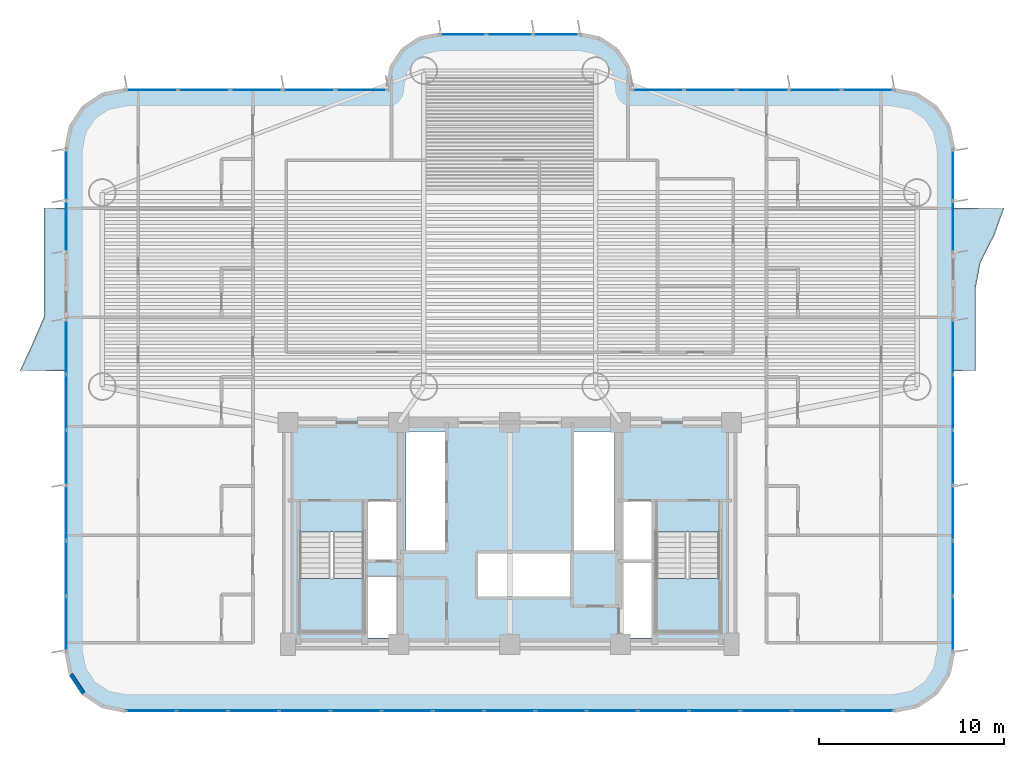
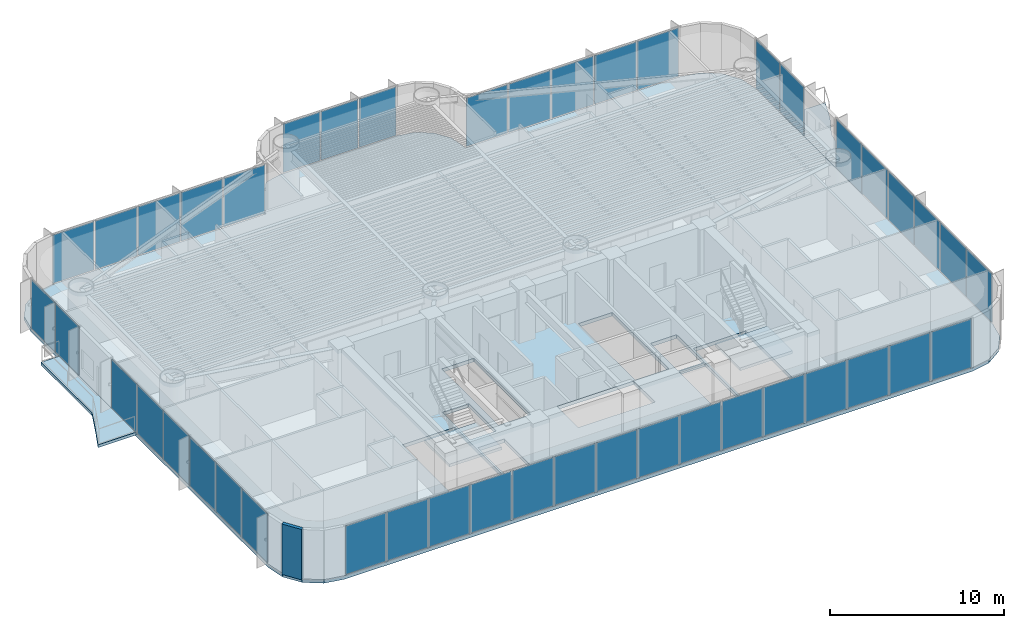
# One storey, part 9 of 18: 44 plates, 5 slabs, 1 wall, 10 elements without a shape of their own.
"""IFC4 building model written with IfcOpenShell, lengths in metres."""

from ifc_helpers import new_model, si_unit, direction, frame, frame_2d, origin, origin_2d, place, context, subcontext, project, spatial, polyline, rectangle, outline, extrude, source, transform, mapped, material, layer, layer_set, type_object, element, aggregate, save


model = new_model("IFC4")

# Units and contexts
model_context = context("Model", 3, precision=1e-05, world=origin(), true_north=direction((0.0, 1.0)))
body_context = subcontext(model_context, "Body", "Model", "MODEL_VIEW")
ifc_project = project(units=[si_unit("LENGTHUNIT", "METRE"), si_unit("AREAUNIT", "SQUARE_METRE"), si_unit("VOLUMEUNIT", "CUBIC_METRE"), si_unit("PLANEANGLEUNIT", "RADIAN"), si_unit("MASSUNIT", "GRAM", prefix="KILO")], contexts=[model_context])

# Site, building, storey
site_placement = place(None, origin())
site = spatial("IfcSite", under=ifc_project, at=site_placement, CompositionType="ELEMENT")
building_placement = place(site_placement, origin())
building = spatial("IfcBuilding", under=site, at=building_placement, Name="Brelvock Crest Care Tower", CompositionType="ELEMENT")
storey_placement = place(building_placement, frame((0.0, 0.0, 38.340087890625)))
storey = spatial("IfcBuildingStorey", under=building, at=storey_placement, Name="L09", CompositionType="ELEMENT", Elevation=38.340087890625)

# Slabs
ifc_material_1 = material(Name="Concrete N50 (50 MPa)", Category="concrete")
ifc_layer_1 = layer(ifc_material_1, 0.22998046875, Name="SLB-FL4")
ifc_layer_set_1 = layer_set([ifc_layer_1], Name="Concrete N50 (50 MPa)")
slab_type_1 = type_object("IfcSlabType", Name="SLB-FL4", PredefinedType="FLOOR", material=ifc_layer_set_1)
slab_1_placement = place(storey_placement, frame((0.0, 0.0, -0.25)))
element("IfcSlab", 1, at=slab_1_placement, inside=storey, type_object=slab_type_1, Name="L09 Main Structural Slab", PredefinedType="FLOOR", context=body_context, shape_type="SweptSolid", body=[
    extrude(outline(polyline([(56.800048828125, 36.0), (42.60009765625, 36.0), (42.60009765625, 36.199951171875), (42.386962890625, 37.271484375), (41.77978515625, 38.179931640625), (40.87158203125, 38.786865234375), (39.800048828125, 39.0), (32.199951171875, 39.0), (31.12841796875, 38.786865234375), (30.22021484375, 38.179931640625), (29.613037109375, 37.271484375), (29.39990234375, 36.199951171875), (29.39990234375, 36.0), (15.199951171875, 36.0), (13.975341796875, 35.75634765625), (12.937255859375, 35.062744140625), (12.24365234375, 34.024658203125), (12.0, 32.800048828125), (12.0, 5.60009765625), (12.24365234375, 4.37548828125), (12.937255859375, 3.33740234375), (13.975341796875, 2.6435546875), (15.199951171875, 2.39990234375), (56.800048828125, 2.39990234375), (58.024658203125, 2.6435546875), (59.062744140625, 3.33740234375), (59.75634765625, 4.37548828125), (60.0, 5.60009765625), (60.0, 32.800048828125), (59.75634765625, 34.024658203125), (59.062744140625, 35.062744140625), (58.024658203125, 35.75634765625), (56.800048828125, 36.0)]), holes=[polyline([(28.239990234375, 10.580078125), (29.97998046875, 10.580078125), (29.97998046875, 13.739990234375), (28.239990234375, 13.739990234375), (28.239990234375, 10.580078125)]), polyline([(42.02001953125, 10.580078125), (43.760009765625, 10.580078125), (43.760009765625, 13.739990234375), (42.02001953125, 13.739990234375), (42.02001953125, 10.580078125)]), polyline([(28.239990234375, 6.340087890625), (29.97998046875, 6.340087890625), (29.97998046875, 9.64990234375), (28.239990234375, 9.64990234375), (28.239990234375, 6.340087890625)]), polyline([(24.6298828125, 12.080078125), (24.6298828125, 6.699951171875), (28.110107421875, 6.699951171875), (28.110107421875, 12.080078125), (24.6298828125, 12.080078125)]), polyline([(43.889892578125, 12.080078125), (43.889892578125, 6.699951171875), (47.3701171875, 6.699951171875), (47.3701171875, 12.080078125), (43.889892578125, 12.080078125)]), polyline([(42.02001953125, 6.340087890625), (43.760009765625, 6.340087890625), (43.760009765625, 10.5), (42.02001953125, 10.5), (42.02001953125, 6.340087890625)]), polyline([(30.3798828125, 11.030029296875), (32.52001953125, 11.030029296875), (32.52001953125, 17.52001953125), (30.3798828125, 17.52001953125), (30.3798828125, 11.030029296875)]), polyline([(34.22998046875, 8.530029296875), (39.320068359375, 8.530029296875), (39.320068359375, 10.969970703125), (34.22998046875, 10.969970703125), (34.22998046875, 8.530029296875)]), polyline([(39.429931640625, 11.030029296875), (41.669921875, 11.030029296875), (41.669921875, 17.52001953125), (39.429931640625, 17.52001953125), (39.429931640625, 11.030029296875)])]), origin(), (0.0, 0.0, 1.0), 0.25),
])
ifc_layer_2 = layer(ifc_material_1, 0.199951171875, Name="SLB-WB2")
ifc_layer_set_2 = layer_set([ifc_layer_2], Name="Concrete N50 (50 MPa)")
slab_type_2 = type_object("IfcSlabType", Name="SLB-WB2", PredefinedType="FLOOR", material=ifc_layer_set_2)
slab_2_placement = place(storey_placement, frame((0.0, 0.0, -0.2001953125)))
element("IfcSlab", 2, at=slab_2_placement, inside=storey, type_object=slab_type_2, Name="L09 W Sinusoidal Wave Balcony Slab", PredefinedType="FLOOR", context=body_context, shape_type="SweptSolid", body=[
    extrude(outline(polyline([(12.0, 29.60009765625), (10.800048828125, 29.60009765625), (10.800048828125, 28.13330078125), (10.800048828125, 26.666748046875), (10.800048828125, 25.199951171875), (10.800048828125, 23.7333984375), (10.169189453125, 22.2666015625), (9.495361328125, 20.800048828125), (12.0, 20.800048828125), (12.0, 29.60009765625)])), origin(), (0.0, 0.0, 1.0), 0.2001953125),
])
slab_3_placement = place(storey_placement, frame((0.0, 0.0, -0.2001953125)))
element("IfcSlab", 3, at=slab_3_placement, inside=storey, type_object=slab_type_2, Name="L09 E Sinusoidal Wave Balcony Slab", PredefinedType="FLOOR", context=body_context, shape_type="SweptSolid", body=[
    extrude(outline(polyline([(60.0, 20.800048828125), (61.199951171875, 20.800048828125), (61.199951171875, 22.2666015625), (61.199951171875, 23.7333984375), (61.199951171875, 25.199951171875), (61.479248046875, 26.666748046875), (62.22509765625, 28.13330078125), (62.7529296875, 29.60009765625), (60.0, 29.60009765625), (60.0, 20.800048828125)])), origin(), (0.0, 0.0, 1.0), 0.2001953125),
])

# Stair, slab
ifc_material_2 = material(Name="Concrete N40 (40 MPa)", Category="concrete")
stair_type = type_object("IfcStairType", Name="ST-CORE1", PredefinedType="HALF_TURN_STAIR", material=ifc_material_2)
stair_1_placement = place(storey_placement, origin())
stair_1 = element("IfcStair", 4, at=stair_1_placement, inside=storey, type_object=stair_type, Name="L09 Fire-Isolated Core Stair ST-1", PredefinedType="HALF_TURN_STAIR")
ifc_layer_3 = layer(ifc_material_2, 0.199951171875, Name="STL-1")
ifc_layer_set_3 = layer_set([ifc_layer_3], Name="Concrete N40 (40 MPa)")
slab_type_3 = type_object("IfcSlabType", Name="STL-1", PredefinedType="LANDING", material=ifc_layer_set_3)
slab_4_placement = place(storey_placement, frame((0.0, 0.0, 1.68994140625)))
slab_4 = element("IfcSlab", 5, at=slab_4_placement, type_object=slab_type_3, Name="ST-1 landing 1", PredefinedType="LANDING", context=body_context, shape_type="SweptSolid", body=[
    extrude(outline(polyline([(24.6298828125, 9.56005859375), (24.6298828125, 6.699951171875), (28.110107421875, 6.699951171875), (28.110107421875, 9.56005859375), (24.6298828125, 9.56005859375)])), origin(), (0.0, 0.0, 1.0), 0.199951171875),
])
aggregate(stair_1, [slab_4])

stair_2_placement = place(storey_placement, origin())
stair_2 = element("IfcStair", 6, at=stair_2_placement, inside=storey, type_object=stair_type, Name="L09 Fire-Isolated Core Stair ST-2", PredefinedType="HALF_TURN_STAIR")
slab_5_placement = place(storey_placement, frame((0.0, 0.0, 1.68994140625)))
slab_5 = element("IfcSlab", 7, at=slab_5_placement, type_object=slab_type_3, Name="ST-2 landing 1", PredefinedType="LANDING", context=body_context, shape_type="SweptSolid", body=[
    extrude(outline(polyline([(43.889892578125, 9.56005859375), (43.889892578125, 6.699951171875), (47.3701171875, 6.699951171875), (47.3701171875, 9.56005859375), (43.889892578125, 9.56005859375)])), origin(), (0.0, 0.0, 1.0), 0.199951171875),
])
aggregate(stair_2, [slab_5])

# Curtain wall, plates
ifc_material_3 = material(Name="Dark Glass Double Glazed Low-E", Category="glass")
ifc_layer_4 = layer(ifc_material_3, 0.195068359375, Name="CWS-2")
ifc_layer_set_4 = layer_set([ifc_layer_4], Name="Dark Glass Double Glazed Low-E")
curtain_wall_type = type_object("IfcCurtainWallType", Name="CWS-2", PredefinedType="NOTDEFINED", material=ifc_layer_set_4)
curtain_wall_1_placement = place(storey_placement, origin())
curtain_wall_1 = element("IfcCurtainWall", 8, at=curtain_wall_1_placement, inside=storey, type_object=curtain_wall_type, Name="L09 Curtain Wall E08", PredefinedType="NOTDEFINED")
ifc_layer_5 = layer(ifc_material_3, 0.031982421875, Name="CWP-V1")
ifc_layer_set_5 = layer_set([ifc_layer_5], Name="Dark Glass Double Glazed Low-E")
plate_type = type_object("IfcPlateType", Name="CWP-V1", PredefinedType="CURTAIN_PANEL", material=ifc_layer_set_5)
shared_shape_1 = source(origin(), body_context, "Body", "SweptSolid", [
    extrude(rectangle(XDim=2.67578125, YDim=0.035888671875, at=origin_2d()), origin(), (0.0, 0.0, 1.0), 3.39990234375),
])
plate_1_placement = place(storey_placement, frame((55.39697265625, 2.39990234375, 0.06494140625), z_axis=(0.0, 0.0, 1.0), x_axis=(-1.0, 0.0, 0.0)))
plate_1 = element("IfcPlate", 9, at=plate_1_placement, type_object=plate_type, Name="CW-2 panel 1.1", PredefinedType="CURTAIN_PANEL", context=body_context, shape_type="MappedRepresentation", body=[
    mapped(shared_shape_1, transform((0.0, 0.0, 0.0), x_axis=(1.0, 0.0, 0.0), y_axis=(0.0, 1.0, 0.0), z_axis=(0.0, 0.0, 1.0), scale=1.0)),
])
plate_2_placement = place(storey_placement, frame((16.60302734375, 2.39990234375, 0.06494140625), z_axis=(0.0, 0.0, 1.0), x_axis=(-1.0, 0.0, 0.0)))
plate_2 = element("IfcPlate", 10, at=plate_2_placement, type_object=plate_type, Name="CW-2 panel 15.1", PredefinedType="CURTAIN_PANEL", context=body_context, shape_type="MappedRepresentation", body=[
    mapped(shared_shape_1, transform((0.0, 0.0, 0.0), x_axis=(1.0, 0.0, 0.0), y_axis=(0.0, 1.0, 0.0), z_axis=(0.0, 0.0, 1.0), scale=1.0)),
])
shared_shape_2 = source(origin(), body_context, "Body", "SweptSolid", [
    extrude(rectangle(XDim=2.708251953125, YDim=0.035888671875, at=origin_2d()), origin(), (0.0, 0.0, 1.0), 3.39990234375),
])
plate_3_placement = place(storey_placement, frame((52.639892578125, 2.39990234375, 0.06494140625), z_axis=(0.0, 0.0, 1.0), x_axis=(-1.0, 0.0, 0.0)))
plate_3 = element("IfcPlate", 11, at=plate_3_placement, type_object=plate_type, Name="CW-2 panel 2.1", PredefinedType="CURTAIN_PANEL", context=body_context, shape_type="MappedRepresentation", body=[
    mapped(shared_shape_2, transform((0.0, 0.0, 0.0), x_axis=(1.0, 0.0, 0.0), y_axis=(0.0, 1.0, 0.0), z_axis=(0.0, 0.0, 1.0), scale=1.0)),
])
plate_4_placement = place(storey_placement, frame((49.86669921875, 2.39990234375, 0.06494140625), z_axis=(0.0, 0.0, 1.0), x_axis=(-1.0, 0.0, 0.0)))
plate_4 = element("IfcPlate", 12, at=plate_4_placement, type_object=plate_type, Name="CW-2 panel 3.1", PredefinedType="CURTAIN_PANEL", context=body_context, shape_type="MappedRepresentation", body=[
    mapped(shared_shape_2, transform((0.0, 0.0, 0.0), x_axis=(1.0, 0.0, 0.0), y_axis=(0.0, 1.0, 0.0), z_axis=(0.0, 0.0, 1.0), scale=1.0)),
])
plate_5_placement = place(storey_placement, frame((47.09326171875, 2.39990234375, 0.06494140625), z_axis=(0.0, 0.0, 1.0), x_axis=(-1.0, 0.0, 0.0)))
plate_5 = element("IfcPlate", 13, at=plate_5_placement, type_object=plate_type, Name="CW-2 panel 4.1", PredefinedType="CURTAIN_PANEL", context=body_context, shape_type="MappedRepresentation", body=[
    mapped(shared_shape_2, transform((0.0, 0.0, 0.0), x_axis=(1.0, 0.0, 0.0), y_axis=(0.0, 1.0, 0.0), z_axis=(0.0, 0.0, 1.0), scale=1.0)),
])
plate_6_placement = place(storey_placement, frame((44.320068359375, 2.39990234375, 0.06494140625), z_axis=(0.0, 0.0, 1.0), x_axis=(-1.0, 0.0, 0.0)))
plate_6 = element("IfcPlate", 14, at=plate_6_placement, type_object=plate_type, Name="CW-2 panel 5.1", PredefinedType="CURTAIN_PANEL", context=body_context, shape_type="MappedRepresentation", body=[
    mapped(shared_shape_2, transform((0.0, 0.0, 0.0), x_axis=(1.0, 0.0, 0.0), y_axis=(0.0, 1.0, 0.0), z_axis=(0.0, 0.0, 1.0), scale=1.0)),
])
plate_7_placement = place(storey_placement, frame((41.546630859375, 2.39990234375, 0.06494140625), z_axis=(0.0, 0.0, 1.0), x_axis=(-1.0, 0.0, 0.0)))
plate_7 = element("IfcPlate", 15, at=plate_7_placement, type_object=plate_type, Name="CW-2 panel 6.1", PredefinedType="CURTAIN_PANEL", context=body_context, shape_type="MappedRepresentation", body=[
    mapped(shared_shape_2, transform((0.0, 0.0, 0.0), x_axis=(1.0, 0.0, 0.0), y_axis=(0.0, 1.0, 0.0), z_axis=(0.0, 0.0, 1.0), scale=1.0)),
])
plate_8_placement = place(storey_placement, frame((38.7734375, 2.39990234375, 0.06494140625), z_axis=(0.0, 0.0, 1.0), x_axis=(-1.0, 0.0, 0.0)))
plate_8 = element("IfcPlate", 16, at=plate_8_placement, type_object=plate_type, Name="CW-2 panel 7.1", PredefinedType="CURTAIN_PANEL", context=body_context, shape_type="MappedRepresentation", body=[
    mapped(shared_shape_2, transform((0.0, 0.0, 0.0), x_axis=(1.0, 0.0, 0.0), y_axis=(0.0, 1.0, 0.0), z_axis=(0.0, 0.0, 1.0), scale=1.0)),
])
plate_9_placement = place(storey_placement, frame((36.0, 2.39990234375, 0.06494140625), z_axis=(0.0, 0.0, 1.0), x_axis=(-1.0, 0.0, 0.0)))
plate_9 = element("IfcPlate", 17, at=plate_9_placement, type_object=plate_type, Name="CW-2 panel 8.1", PredefinedType="CURTAIN_PANEL", context=body_context, shape_type="MappedRepresentation", body=[
    mapped(shared_shape_2, transform((0.0, 0.0, 0.0), x_axis=(1.0, 0.0, 0.0), y_axis=(0.0, 1.0, 0.0), z_axis=(0.0, 0.0, 1.0), scale=1.0)),
])
plate_10_placement = place(storey_placement, frame((33.2265625, 2.39990234375, 0.06494140625), z_axis=(0.0, 0.0, 1.0), x_axis=(-1.0, 0.0, 0.0)))
plate_10 = element("IfcPlate", 18, at=plate_10_placement, type_object=plate_type, Name="CW-2 panel 9.1", PredefinedType="CURTAIN_PANEL", context=body_context, shape_type="MappedRepresentation", body=[
    mapped(shared_shape_2, transform((0.0, 0.0, 0.0), x_axis=(1.0, 0.0, 0.0), y_axis=(0.0, 1.0, 0.0), z_axis=(0.0, 0.0, 1.0), scale=1.0)),
])
plate_11_placement = place(storey_placement, frame((30.453369140625, 2.39990234375, 0.06494140625), z_axis=(0.0, 0.0, 1.0), x_axis=(-1.0, 0.0, 0.0)))
plate_11 = element("IfcPlate", 19, at=plate_11_placement, type_object=plate_type, Name="CW-2 panel 10.1", PredefinedType="CURTAIN_PANEL", context=body_context, shape_type="MappedRepresentation", body=[
    mapped(shared_shape_2, transform((0.0, 0.0, 0.0), x_axis=(1.0, 0.0, 0.0), y_axis=(0.0, 1.0, 0.0), z_axis=(0.0, 0.0, 1.0), scale=1.0)),
])
plate_12_placement = place(storey_placement, frame((27.679931640625, 2.39990234375, 0.06494140625), z_axis=(0.0, 0.0, 1.0), x_axis=(-1.0, 0.0, 0.0)))
plate_12 = element("IfcPlate", 20, at=plate_12_placement, type_object=plate_type, Name="CW-2 panel 11.1", PredefinedType="CURTAIN_PANEL", context=body_context, shape_type="MappedRepresentation", body=[
    mapped(shared_shape_2, transform((0.0, 0.0, 0.0), x_axis=(1.0, 0.0, 0.0), y_axis=(0.0, 1.0, 0.0), z_axis=(0.0, 0.0, 1.0), scale=1.0)),
])
plate_13_placement = place(storey_placement, frame((24.90673828125, 2.39990234375, 0.06494140625), z_axis=(0.0, 0.0, 1.0), x_axis=(-1.0, 0.0, 0.0)))
plate_13 = element("IfcPlate", 21, at=plate_13_placement, type_object=plate_type, Name="CW-2 panel 12.1", PredefinedType="CURTAIN_PANEL", context=body_context, shape_type="MappedRepresentation", body=[
    mapped(shared_shape_2, transform((0.0, 0.0, 0.0), x_axis=(1.0, 0.0, 0.0), y_axis=(0.0, 1.0, 0.0), z_axis=(0.0, 0.0, 1.0), scale=1.0)),
])
plate_14_placement = place(storey_placement, frame((22.13330078125, 2.39990234375, 0.06494140625), z_axis=(0.0, 0.0, 1.0), x_axis=(-1.0, 0.0, 0.0)))
plate_14 = element("IfcPlate", 22, at=plate_14_placement, type_object=plate_type, Name="CW-2 panel 13.1", PredefinedType="CURTAIN_PANEL", context=body_context, shape_type="MappedRepresentation", body=[
    mapped(shared_shape_2, transform((0.0, 0.0, 0.0), x_axis=(1.0, 0.0, 0.0), y_axis=(0.0, 1.0, 0.0), z_axis=(0.0, 0.0, 1.0), scale=1.0)),
])
plate_15_placement = place(storey_placement, frame((19.360107421875, 2.39990234375, 0.06494140625), z_axis=(0.0, 0.0, 1.0), x_axis=(-1.0, 0.0, 0.0)))
plate_15 = element("IfcPlate", 23, at=plate_15_placement, type_object=plate_type, Name="CW-2 panel 14.1", PredefinedType="CURTAIN_PANEL", context=body_context, shape_type="MappedRepresentation", body=[
    mapped(shared_shape_2, transform((0.0, 0.0, 0.0), x_axis=(1.0, 0.0, 0.0), y_axis=(0.0, 1.0, 0.0), z_axis=(0.0, 0.0, 1.0), scale=1.0)),
])
aggregate(curtain_wall_1, [plate_1, plate_3, plate_4, plate_5, plate_6, plate_7, plate_8, plate_9, plate_10, plate_11, plate_12, plate_13, plate_14, plate_15, plate_2])

curtain_wall_2_placement = place(storey_placement, origin())
curtain_wall_2 = element("IfcCurtainWall", 24, at=curtain_wall_2_placement, inside=storey, type_object=curtain_wall_type, Name="L09 Curtain Wall E18", PredefinedType="NOTDEFINED")
shared_shape_3 = source(origin(), body_context, "Body", "SweptSolid", [
    extrude(rectangle(XDim=2.742431640625, YDim=0.035888671875, at=origin_2d()), origin(), (0.0, 0.0, 1.0), 3.39990234375),
])
plate_16_placement = place(storey_placement, frame((16.63623046875, 36.0, 0.06494140625), z_axis=(0.0, 0.0, 1.0), x_axis=(1.0, 0.0, 0.0)))
plate_16 = element("IfcPlate", 25, at=plate_16_placement, type_object=plate_type, Name="CW-2 panel 1.1", PredefinedType="CURTAIN_PANEL", context=body_context, shape_type="MappedRepresentation", body=[
    mapped(shared_shape_3, transform((0.0, 0.0, 0.0), x_axis=(1.0, 0.0, 0.0), y_axis=(0.0, 1.0, 0.0), z_axis=(0.0, 0.0, 1.0), scale=1.0)),
])
plate_17_placement = place(storey_placement, frame((27.9638671875, 36.0, 0.06494140625), z_axis=(0.0, 0.0, 1.0), x_axis=(1.0, 0.0, 0.0)))
plate_17 = element("IfcPlate", 26, at=plate_17_placement, type_object=plate_type, Name="CW-2 panel 5.1", PredefinedType="CURTAIN_PANEL", context=body_context, shape_type="MappedRepresentation", body=[
    mapped(shared_shape_3, transform((0.0, 0.0, 0.0), x_axis=(1.0, 0.0, 0.0), y_axis=(0.0, 1.0, 0.0), z_axis=(0.0, 0.0, 1.0), scale=1.0)),
])

curtain_wall_3_placement = place(storey_placement, origin())
curtain_wall_3 = element("IfcCurtainWall", 27, at=curtain_wall_3_placement, inside=storey, type_object=curtain_wall_type, Name="L09 Curtain Wall E30", PredefinedType="NOTDEFINED")
plate_18_placement = place(storey_placement, frame((44.0361328125, 36.0, 0.06494140625), z_axis=(0.0, 0.0, 1.0), x_axis=(1.0, 0.0, 0.0)))
plate_18 = element("IfcPlate", 28, at=plate_18_placement, type_object=plate_type, Name="CW-2 panel 1.1", PredefinedType="CURTAIN_PANEL", context=body_context, shape_type="MappedRepresentation", body=[
    mapped(shared_shape_3, transform((0.0, 0.0, 0.0), x_axis=(1.0, 0.0, 0.0), y_axis=(0.0, 1.0, 0.0), z_axis=(0.0, 0.0, 1.0), scale=1.0)),
])
plate_19_placement = place(storey_placement, frame((55.36376953125, 36.0, 0.06494140625), z_axis=(0.0, 0.0, 1.0), x_axis=(1.0, 0.0, 0.0)))
plate_19 = element("IfcPlate", 29, at=plate_19_placement, type_object=plate_type, Name="CW-2 panel 5.1", PredefinedType="CURTAIN_PANEL", context=body_context, shape_type="MappedRepresentation", body=[
    mapped(shared_shape_3, transform((0.0, 0.0, 0.0), x_axis=(1.0, 0.0, 0.0), y_axis=(0.0, 1.0, 0.0), z_axis=(0.0, 0.0, 1.0), scale=1.0)),
])

# Plate
shared_shape_4 = source(origin(), body_context, "Body", "SweptSolid", [
    extrude(rectangle(XDim=2.77490234375, YDim=0.035888671875, at=origin_2d()), origin(), (0.0, 0.0, 1.0), 3.39990234375),
])
plate_20_placement = place(storey_placement, frame((19.4599609375, 36.0, 0.06494140625), z_axis=(0.0, 0.0, 1.0), x_axis=(1.0, 0.0, 0.0)))
plate_20 = element("IfcPlate", 30, at=plate_20_placement, type_object=plate_type, Name="CW-2 panel 2.1", PredefinedType="CURTAIN_PANEL", context=body_context, shape_type="MappedRepresentation", body=[
    mapped(shared_shape_4, transform((0.0, 0.0, 0.0), x_axis=(1.0, 0.0, 0.0), y_axis=(0.0, 1.0, 0.0), z_axis=(0.0, 0.0, 1.0), scale=1.0)),
])

plate_21_placement = place(storey_placement, frame((22.300048828125, 36.0, 0.06494140625), z_axis=(0.0, 0.0, 1.0), x_axis=(1.0, 0.0, 0.0)))
plate_21 = element("IfcPlate", 31, at=plate_21_placement, type_object=plate_type, Name="CW-2 panel 3.1", PredefinedType="CURTAIN_PANEL", context=body_context, shape_type="MappedRepresentation", body=[
    mapped(shared_shape_4, transform((0.0, 0.0, 0.0), x_axis=(1.0, 0.0, 0.0), y_axis=(0.0, 1.0, 0.0), z_axis=(0.0, 0.0, 1.0), scale=1.0)),
])

plate_22_placement = place(storey_placement, frame((25.139892578125, 36.0, 0.06494140625), z_axis=(0.0, 0.0, 1.0), x_axis=(1.0, 0.0, 0.0)))
plate_22 = element("IfcPlate", 32, at=plate_22_placement, type_object=plate_type, Name="CW-2 panel 4.1", PredefinedType="CURTAIN_PANEL", context=body_context, shape_type="MappedRepresentation", body=[
    mapped(shared_shape_4, transform((0.0, 0.0, 0.0), x_axis=(1.0, 0.0, 0.0), y_axis=(0.0, 1.0, 0.0), z_axis=(0.0, 0.0, 1.0), scale=1.0)),
])

aggregate(curtain_wall_2, [plate_16, plate_20, plate_21, plate_22, plate_17])

plate_23_placement = place(storey_placement, frame((46.860107421875, 36.0, 0.06494140625), z_axis=(0.0, 0.0, 1.0), x_axis=(1.0, 0.0, 0.0)))
plate_23 = element("IfcPlate", 33, at=plate_23_placement, type_object=plate_type, Name="CW-2 panel 2.1", PredefinedType="CURTAIN_PANEL", context=body_context, shape_type="MappedRepresentation", body=[
    mapped(shared_shape_4, transform((0.0, 0.0, 0.0), x_axis=(1.0, 0.0, 0.0), y_axis=(0.0, 1.0, 0.0), z_axis=(0.0, 0.0, 1.0), scale=1.0)),
])

plate_24_placement = place(storey_placement, frame((49.699951171875, 36.0, 0.06494140625), z_axis=(0.0, 0.0, 1.0), x_axis=(1.0, 0.0, 0.0)))
plate_24 = element("IfcPlate", 34, at=plate_24_placement, type_object=plate_type, Name="CW-2 panel 3.1", PredefinedType="CURTAIN_PANEL", context=body_context, shape_type="MappedRepresentation", body=[
    mapped(shared_shape_4, transform((0.0, 0.0, 0.0), x_axis=(1.0, 0.0, 0.0), y_axis=(0.0, 1.0, 0.0), z_axis=(0.0, 0.0, 1.0), scale=1.0)),
])

plate_25_placement = place(storey_placement, frame((52.5400390625, 36.0, 0.06494140625), z_axis=(0.0, 0.0, 1.0), x_axis=(1.0, 0.0, 0.0)))
plate_25 = element("IfcPlate", 35, at=plate_25_placement, type_object=plate_type, Name="CW-2 panel 4.1", PredefinedType="CURTAIN_PANEL", context=body_context, shape_type="MappedRepresentation", body=[
    mapped(shared_shape_4, transform((0.0, 0.0, 0.0), x_axis=(1.0, 0.0, 0.0), y_axis=(0.0, 1.0, 0.0), z_axis=(0.0, 0.0, 1.0), scale=1.0)),
])

aggregate(curtain_wall_3, [plate_18, plate_23, plate_24, plate_25, plate_19])

# Curtain wall, plates
curtain_wall_4_placement = place(storey_placement, origin())
curtain_wall_4 = element("IfcCurtainWall", 36, at=curtain_wall_4_placement, inside=storey, type_object=curtain_wall_type, Name="L09 Curtain Wall E24", PredefinedType="NOTDEFINED")
shared_shape_5 = source(origin(), body_context, "Body", "SweptSolid", [
    extrude(rectangle(XDim=2.435791015625, YDim=0.035888671875, at=origin_2d()), origin(), (0.0, 0.0, 1.0), 3.39990234375),
])
plate_26_placement = place(storey_placement, frame((33.48291015625, 39.0, 0.06494140625), z_axis=(0.0, 0.0, 1.0), x_axis=(1.0, 0.0, 0.0)))
plate_26 = element("IfcPlate", 37, at=plate_26_placement, type_object=plate_type, Name="CW-2 panel 1.1", PredefinedType="CURTAIN_PANEL", context=body_context, shape_type="MappedRepresentation", body=[
    mapped(shared_shape_5, transform((0.0, 0.0, 0.0), x_axis=(1.0, 0.0, 0.0), y_axis=(0.0, 1.0, 0.0), z_axis=(0.0, 0.0, 1.0), scale=1.0)),
])
plate_27_placement = place(storey_placement, frame((38.51708984375, 39.0, 0.06494140625), z_axis=(0.0, 0.0, 1.0), x_axis=(1.0, 0.0, 0.0)))
plate_27 = element("IfcPlate", 38, at=plate_27_placement, type_object=plate_type, Name="CW-2 panel 3.1", PredefinedType="CURTAIN_PANEL", context=body_context, shape_type="MappedRepresentation", body=[
    mapped(shared_shape_5, transform((0.0, 0.0, 0.0), x_axis=(1.0, 0.0, 0.0), y_axis=(0.0, 1.0, 0.0), z_axis=(0.0, 0.0, 1.0), scale=1.0)),
])
shared_shape_6 = source(origin(), body_context, "Body", "SweptSolid", [
    extrude(rectangle(XDim=2.46826171875, YDim=0.035888671875, at=origin_2d()), origin(), (0.0, 0.0, 1.0), 3.39990234375),
])
plate_28_placement = place(storey_placement, frame((36.0, 39.0, 0.06494140625), z_axis=(0.0, 0.0, 1.0), x_axis=(1.0, 0.0, 0.0)))
plate_28 = element("IfcPlate", 39, at=plate_28_placement, type_object=plate_type, Name="CW-2 panel 2.1", PredefinedType="CURTAIN_PANEL", context=body_context, shape_type="MappedRepresentation", body=[
    mapped(shared_shape_6, transform((0.0, 0.0, 0.0), x_axis=(1.0, 0.0, 0.0), y_axis=(0.0, 1.0, 0.0), z_axis=(0.0, 0.0, 1.0), scale=1.0)),
])
aggregate(curtain_wall_4, [plate_26, plate_28, plate_27])

curtain_wall_5_placement = place(storey_placement, origin())
curtain_wall_5 = element("IfcCurtainWall", 40, at=curtain_wall_5_placement, inside=storey, type_object=curtain_wall_type, Name="L09 Curtain Wall E03A", PredefinedType="NOTDEFINED")
shared_shape_7 = source(origin(), body_context, "Body", "SweptSolid", [
    extrude(rectangle(XDim=2.702392578125, YDim=0.035888671875, at=origin_2d()), origin(), (0.0, 0.0, 1.0), 3.39990234375),
])
plate_29_placement = place(storey_placement, frame((60.0, 31.3837890625, 0.06494140625), z_axis=(0.0, 0.0, 1.0), x_axis=(0.0, -1.0, 0.0)))
plate_29 = element("IfcPlate", 41, at=plate_29_placement, type_object=plate_type, Name="CW-2 panel 1.1", PredefinedType="CURTAIN_PANEL", context=body_context, shape_type="MappedRepresentation", body=[
    mapped(shared_shape_7, transform((0.0, 0.0, 0.0), x_axis=(1.0, 0.0, 0.0), y_axis=(0.0, 1.0, 0.0), z_axis=(0.0, 0.0, 1.0), scale=1.0)),
])
plate_30_placement = place(storey_placement, frame((60.0, 28.6162109375, 0.06494140625), z_axis=(0.0, 0.0, 1.0), x_axis=(0.0, -1.0, 0.0)))
plate_30 = element("IfcPlate", 42, at=plate_30_placement, type_object=plate_type, Name="CW-2 panel 2.1", PredefinedType="CURTAIN_PANEL", context=body_context, shape_type="MappedRepresentation", body=[
    mapped(shared_shape_7, transform((0.0, 0.0, 0.0), x_axis=(1.0, 0.0, 0.0), y_axis=(0.0, 1.0, 0.0), z_axis=(0.0, 0.0, 1.0), scale=1.0)),
])
aggregate(curtain_wall_5, [plate_29, plate_30])

curtain_wall_6_placement = place(storey_placement, origin())
curtain_wall_6 = element("IfcCurtainWall", 43, at=curtain_wall_6_placement, inside=storey, type_object=curtain_wall_type, Name="L09 Curtain Wall E13B", PredefinedType="NOTDEFINED")
plate_31_placement = place(storey_placement, frame((12.0, 28.6162109375, 0.06494140625), z_axis=(0.0, 0.0, 1.0), x_axis=(0.0, 1.0, 0.0)))
plate_31 = element("IfcPlate", 44, at=plate_31_placement, type_object=plate_type, Name="CW-2 panel 1.1", PredefinedType="CURTAIN_PANEL", context=body_context, shape_type="MappedRepresentation", body=[
    mapped(shared_shape_7, transform((0.0, 0.0, 0.0), x_axis=(1.0, 0.0, 0.0), y_axis=(0.0, 1.0, 0.0), z_axis=(0.0, 0.0, 1.0), scale=1.0)),
])
plate_32_placement = place(storey_placement, frame((12.0, 31.3837890625, 0.06494140625), z_axis=(0.0, 0.0, 1.0), x_axis=(0.0, 1.0, 0.0)))
plate_32 = element("IfcPlate", 45, at=plate_32_placement, type_object=plate_type, Name="CW-2 panel 2.1", PredefinedType="CURTAIN_PANEL", context=body_context, shape_type="MappedRepresentation", body=[
    mapped(shared_shape_7, transform((0.0, 0.0, 0.0), x_axis=(1.0, 0.0, 0.0), y_axis=(0.0, 1.0, 0.0), z_axis=(0.0, 0.0, 1.0), scale=1.0)),
])
aggregate(curtain_wall_6, [plate_31, plate_32])

curtain_wall_7_placement = place(storey_placement, origin())
curtain_wall_7 = element("IfcCurtainWall", 46, at=curtain_wall_7_placement, inside=storey, type_object=curtain_wall_type, Name="L09 Curtain Wall E03B", PredefinedType="NOTDEFINED")
shared_shape_8 = source(origin(), body_context, "Body", "SweptSolid", [
    extrude(rectangle(XDim=2.902587890625, YDim=0.035888671875, at=origin_2d()), origin(), (0.0, 0.0, 1.0), 3.39990234375),
])
plate_33_placement = place(storey_placement, frame((60.0, 22.083740234375, 0.06494140625), z_axis=(0.0, 0.0, 1.0), x_axis=(0.0, -1.0, 0.0)))
plate_33 = element("IfcPlate", 47, at=plate_33_placement, type_object=plate_type, Name="CW-2 panel 1.1", PredefinedType="CURTAIN_PANEL", context=body_context, shape_type="MappedRepresentation", body=[
    mapped(shared_shape_8, transform((0.0, 0.0, 0.0), x_axis=(1.0, 0.0, 0.0), y_axis=(0.0, 1.0, 0.0), z_axis=(0.0, 0.0, 1.0), scale=1.0)),
])
plate_34_placement = place(storey_placement, frame((60.0, 7.1162109375, 0.06494140625), z_axis=(0.0, 0.0, 1.0), x_axis=(0.0, -1.0, 0.0)))
plate_34 = element("IfcPlate", 48, at=plate_34_placement, type_object=plate_type, Name="CW-2 panel 6.1", PredefinedType="CURTAIN_PANEL", context=body_context, shape_type="MappedRepresentation", body=[
    mapped(shared_shape_8, transform((0.0, 0.0, 0.0), x_axis=(1.0, 0.0, 0.0), y_axis=(0.0, 1.0, 0.0), z_axis=(0.0, 0.0, 1.0), scale=1.0)),
])

curtain_wall_8_placement = place(storey_placement, origin())
curtain_wall_8 = element("IfcCurtainWall", 49, at=curtain_wall_8_placement, inside=storey, type_object=curtain_wall_type, Name="L09 Curtain Wall E13A", PredefinedType="NOTDEFINED")
plate_35_placement = place(storey_placement, frame((12.0, 7.1162109375, 0.06494140625), z_axis=(0.0, 0.0, 1.0), x_axis=(0.0, 1.0, 0.0)))
plate_35 = element("IfcPlate", 50, at=plate_35_placement, type_object=plate_type, Name="CW-2 panel 1.1", PredefinedType="CURTAIN_PANEL", context=body_context, shape_type="MappedRepresentation", body=[
    mapped(shared_shape_8, transform((0.0, 0.0, 0.0), x_axis=(1.0, 0.0, 0.0), y_axis=(0.0, 1.0, 0.0), z_axis=(0.0, 0.0, 1.0), scale=1.0)),
])
plate_36_placement = place(storey_placement, frame((12.0, 22.083740234375, 0.06494140625), z_axis=(0.0, 0.0, 1.0), x_axis=(0.0, 1.0, 0.0)))
plate_36 = element("IfcPlate", 51, at=plate_36_placement, type_object=plate_type, Name="CW-2 panel 6.1", PredefinedType="CURTAIN_PANEL", context=body_context, shape_type="MappedRepresentation", body=[
    mapped(shared_shape_8, transform((0.0, 0.0, 0.0), x_axis=(1.0, 0.0, 0.0), y_axis=(0.0, 1.0, 0.0), z_axis=(0.0, 0.0, 1.0), scale=1.0)),
])

# Plate
shared_shape_9 = source(origin(), body_context, "Body", "SweptSolid", [
    extrude(rectangle(XDim=2.93505859375, YDim=0.035888671875, at=origin_2d()), origin(), (0.0, 0.0, 1.0), 3.39990234375),
])
plate_37_placement = place(storey_placement, frame((60.0, 19.10009765625, 0.06494140625), z_axis=(0.0, 0.0, 1.0), x_axis=(0.0, -1.0, 0.0)))
plate_37 = element("IfcPlate", 52, at=plate_37_placement, type_object=plate_type, Name="CW-2 panel 2.1", PredefinedType="CURTAIN_PANEL", context=body_context, shape_type="MappedRepresentation", body=[
    mapped(shared_shape_9, transform((0.0, 0.0, 0.0), x_axis=(1.0, 0.0, 0.0), y_axis=(0.0, 1.0, 0.0), z_axis=(0.0, 0.0, 1.0), scale=1.0)),
])

plate_38_placement = place(storey_placement, frame((60.0, 16.10009765625, 0.06494140625), z_axis=(0.0, 0.0, 1.0), x_axis=(0.0, -1.0, 0.0)))
plate_38 = element("IfcPlate", 53, at=plate_38_placement, type_object=plate_type, Name="CW-2 panel 3.1", PredefinedType="CURTAIN_PANEL", context=body_context, shape_type="MappedRepresentation", body=[
    mapped(shared_shape_9, transform((0.0, 0.0, 0.0), x_axis=(1.0, 0.0, 0.0), y_axis=(0.0, 1.0, 0.0), z_axis=(0.0, 0.0, 1.0), scale=1.0)),
])

plate_39_placement = place(storey_placement, frame((60.0, 13.10009765625, 0.06494140625), z_axis=(0.0, 0.0, 1.0), x_axis=(0.0, -1.0, 0.0)))
plate_39 = element("IfcPlate", 54, at=plate_39_placement, type_object=plate_type, Name="CW-2 panel 4.1", PredefinedType="CURTAIN_PANEL", context=body_context, shape_type="MappedRepresentation", body=[
    mapped(shared_shape_9, transform((0.0, 0.0, 0.0), x_axis=(1.0, 0.0, 0.0), y_axis=(0.0, 1.0, 0.0), z_axis=(0.0, 0.0, 1.0), scale=1.0)),
])

plate_40_placement = place(storey_placement, frame((60.0, 10.10009765625, 0.06494140625), z_axis=(0.0, 0.0, 1.0), x_axis=(0.0, -1.0, 0.0)))
plate_40 = element("IfcPlate", 55, at=plate_40_placement, type_object=plate_type, Name="CW-2 panel 5.1", PredefinedType="CURTAIN_PANEL", context=body_context, shape_type="MappedRepresentation", body=[
    mapped(shared_shape_9, transform((0.0, 0.0, 0.0), x_axis=(1.0, 0.0, 0.0), y_axis=(0.0, 1.0, 0.0), z_axis=(0.0, 0.0, 1.0), scale=1.0)),
])

aggregate(curtain_wall_7, [plate_33, plate_37, plate_38, plate_39, plate_40, plate_34])

plate_41_placement = place(storey_placement, frame((12.0, 10.10009765625, 0.06494140625), z_axis=(0.0, 0.0, 1.0), x_axis=(0.0, 1.0, 0.0)))
plate_41 = element("IfcPlate", 56, at=plate_41_placement, type_object=plate_type, Name="CW-2 panel 2.1", PredefinedType="CURTAIN_PANEL", context=body_context, shape_type="MappedRepresentation", body=[
    mapped(shared_shape_9, transform((0.0, 0.0, 0.0), x_axis=(1.0, 0.0, 0.0), y_axis=(0.0, 1.0, 0.0), z_axis=(0.0, 0.0, 1.0), scale=1.0)),
])

plate_42_placement = place(storey_placement, frame((12.0, 13.10009765625, 0.06494140625), z_axis=(0.0, 0.0, 1.0), x_axis=(0.0, 1.0, 0.0)))
plate_42 = element("IfcPlate", 57, at=plate_42_placement, type_object=plate_type, Name="CW-2 panel 3.1", PredefinedType="CURTAIN_PANEL", context=body_context, shape_type="MappedRepresentation", body=[
    mapped(shared_shape_9, transform((0.0, 0.0, 0.0), x_axis=(1.0, 0.0, 0.0), y_axis=(0.0, 1.0, 0.0), z_axis=(0.0, 0.0, 1.0), scale=1.0)),
])

plate_43_placement = place(storey_placement, frame((12.0, 16.10009765625, 0.06494140625), z_axis=(0.0, 0.0, 1.0), x_axis=(0.0, 1.0, 0.0)))
plate_43 = element("IfcPlate", 58, at=plate_43_placement, type_object=plate_type, Name="CW-2 panel 4.1", PredefinedType="CURTAIN_PANEL", context=body_context, shape_type="MappedRepresentation", body=[
    mapped(shared_shape_9, transform((0.0, 0.0, 0.0), x_axis=(1.0, 0.0, 0.0), y_axis=(0.0, 1.0, 0.0), z_axis=(0.0, 0.0, 1.0), scale=1.0)),
])

plate_44_placement = place(storey_placement, frame((12.0, 19.10009765625, 0.06494140625), z_axis=(0.0, 0.0, 1.0), x_axis=(0.0, 1.0, 0.0)))
plate_44 = element("IfcPlate", 59, at=plate_44_placement, type_object=plate_type, Name="CW-2 panel 5.1", PredefinedType="CURTAIN_PANEL", context=body_context, shape_type="MappedRepresentation", body=[
    mapped(shared_shape_9, transform((0.0, 0.0, 0.0), x_axis=(1.0, 0.0, 0.0), y_axis=(0.0, 1.0, 0.0), z_axis=(0.0, 0.0, 1.0), scale=1.0)),
])

aggregate(curtain_wall_8, [plate_35, plate_41, plate_42, plate_43, plate_44, plate_36])

# Wall
ifc_material_4 = material(Name="Precast concrete N40 (40 MPa)", Category="concrete")
ifc_layer_6 = layer(ifc_material_4, 0.215087890625, Name="WL-EX2")
ifc_layer_set_6 = layer_set([ifc_layer_6], Name="Precast concrete N40 (40 MPa)")
wall_type = type_object("IfcWallType", Name="WL-EX2", PredefinedType="SOLIDWALL", material=ifc_layer_set_6)
wall_placement = place(storey_placement, frame((12.937255859375, 3.33740234375, 0.0), z_axis=(0.0, 0.0, 1.0), x_axis=(-0.555557312883, 0.831478245117, 0.0)))
element("IfcWall", 60, at=wall_placement, inside=storey, type_object=wall_type, Name="L09 Rounded Corner Wall 11", PredefinedType="SOLIDWALL", context=body_context, shape_type="SweptSolid", body=[
    extrude(rectangle(XDim=1.24853515625, YDim=0.215087890625, at=frame_2d((0.624267578125, 0.0))), origin(), (0.0, 0.0, 1.0), 3.530029296875),
])

save(model, "model.ifc")
